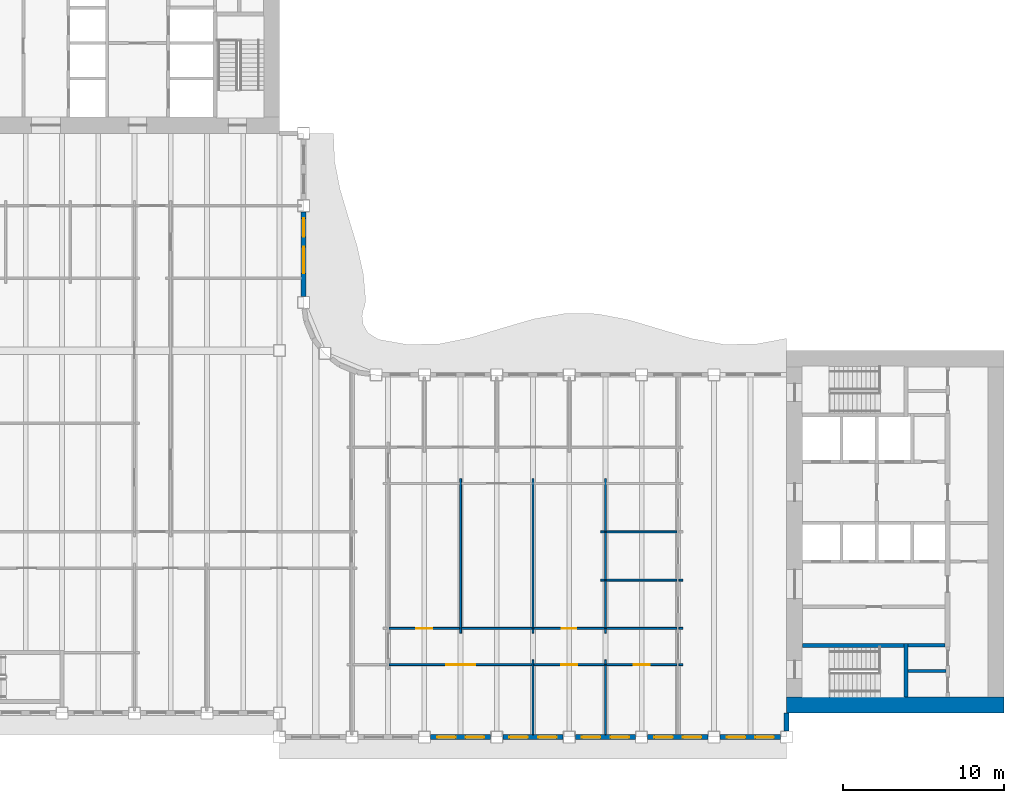
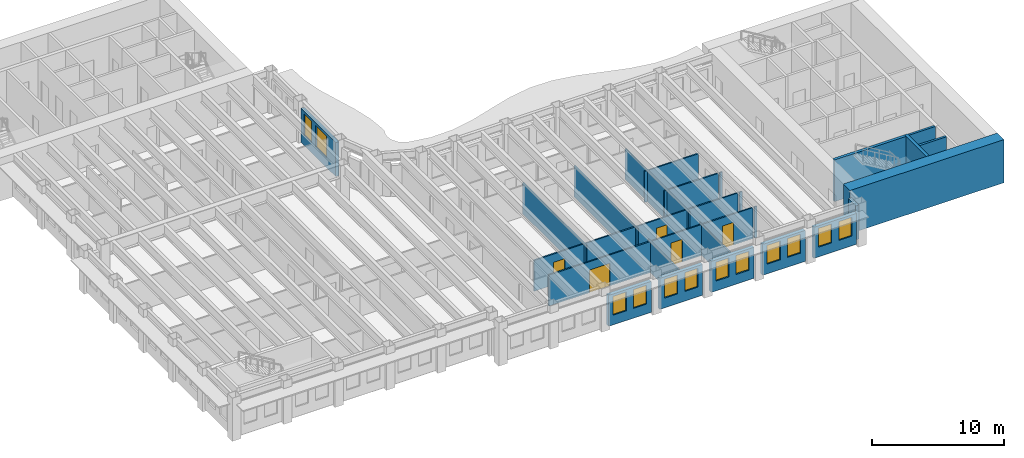
# One storey, part 5 of 16: 31 walls, 12 windows, 5 doors, 17 openings.
"""IFC4 building model written with IfcOpenShell, lengths in metres."""

from ifc_helpers import new_model, si_unit, direction, frame, frame_2d, origin, place, context, subcontext, project, spatial, rectangle, extrude, material, layer, layer_set, type_object, element, fill, save


model = new_model("IFC4")

# Units and contexts
model_context = context("Model", 3, precision=1e-05, world=origin(), true_north=direction((0.0, 1.0)))
body_context = subcontext(model_context, "Body", "Model", "MODEL_VIEW")
ifc_project = project(units=[si_unit("LENGTHUNIT", "METRE"), si_unit("AREAUNIT", "SQUARE_METRE"), si_unit("VOLUMEUNIT", "CUBIC_METRE"), si_unit("PLANEANGLEUNIT", "RADIAN"), si_unit("MASSUNIT", "GRAM", prefix="KILO")], contexts=[model_context])

# Site, building, storey
site_placement = place(None, origin())
site = spatial("IfcSite", under=ifc_project, at=site_placement, CompositionType="ELEMENT")
building_placement = place(site_placement, origin())
building = spatial("IfcBuilding", under=site, at=building_placement, Name="Sennacour Bend Tower", CompositionType="ELEMENT")
storey_placement = place(building_placement, frame((0.0, 0.0, 231.0)))
storey = spatial("IfcBuildingStorey", under=building, at=storey_placement, Name="L53", CompositionType="ELEMENT", Elevation=231.0)

# Walls
ifc_material_1 = material(Name="Concrete C60/75", Category="concrete")
ifc_layer_1 = layer(ifc_material_1, 1.0, Name="Concrete C60/75", Category="concrete")
ifc_layer_set_1 = layer_set([ifc_layer_1], Name="Concrete C60/75")
wall_type_1 = type_object("IfcWallType", Name="Core wall 1000 C60/75", PredefinedType="SHEAR", material=ifc_layer_set_1)
wall_1_placement = place(storey_placement, frame((67.5, 0.5, -0.14990234375), z_axis=(0.0, 0.0, 1.0), x_axis=(-1.0, 0.0, 0.0)))
element("IfcWall", 1, at=wall_1_placement, inside=storey, type_object=wall_type_1, Name="Core A wall L53 S", PredefinedType="SHEAR", context=body_context, shape_type="SweptSolid", body=[
    extrude(rectangle(XDim=13.5, YDim=1.0, at=frame_2d((6.75, 0.0))), origin(), (0.0, 0.0, 1.0), 4.0),
])
ifc_material_2 = material(Name="Plasterboard partition on steel studs", Category="steel")
ifc_layer_2 = layer(ifc_material_2, 0.1201171875, Name="Plasterboard partition on steel studs", Category="steel")
ifc_layer_set_2 = layer_set([ifc_layer_2], Name="Plasterboard partition on steel studs")
wall_type_2 = type_object("IfcWallType", Name="Partition 120", PredefinedType="PARTITIONING", material=ifc_layer_set_2)
wall_2_placement = place(storey_placement, frame((33.75, 4.949951171875, 0.0), z_axis=(0.0, 0.0, 1.0), x_axis=(0.0, 1.0, 0.0)))
element("IfcWall", 2, at=wall_2_placement, inside=storey, type_object=wall_type_2, Name="P-L53-W029a", PredefinedType="PARTITIONING", context=body_context, shape_type="SweptSolid", body=[
    extrude(rectangle(XDim=9.60009765625, YDim=0.1201171875, at=frame_2d((4.800048828125, 0.0))), origin(), (0.0, 0.0, 1.0), 2.8701171875),
])
wall_3_placement = place(storey_placement, frame((38.25, -1.35009765625, 0.0), z_axis=(0.0, 0.0, 1.0), x_axis=(0.0, 1.0, 0.0)))
element("IfcWall", 3, at=wall_3_placement, inside=storey, type_object=wall_type_2, Name="P-L53-W031a", PredefinedType="PARTITIONING", context=body_context, shape_type="SweptSolid", body=[
    extrude(rectangle(XDim=4.650146484375, YDim=0.1201171875, at=frame_2d((2.3251953125, 0.0))), origin(), (0.0, 0.0, 1.0), 2.8701171875),
])
wall_4_placement = place(storey_placement, frame((38.25, 4.949951171875, 0.0), z_axis=(0.0, 0.0, 1.0), x_axis=(0.0, 1.0, 0.0)))
element("IfcWall", 4, at=wall_4_placement, inside=storey, type_object=wall_type_2, Name="P-L53-W032a", PredefinedType="PARTITIONING", context=body_context, shape_type="SweptSolid", body=[
    extrude(rectangle(XDim=9.60009765625, YDim=0.1201171875, at=frame_2d((4.800048828125, 0.0))), origin(), (0.0, 0.0, 1.0), 2.8701171875),
])
wall_5_placement = place(storey_placement, frame((42.75, -1.35009765625, 0.0), z_axis=(0.0, 0.0, 1.0), x_axis=(0.0, 1.0, 0.0)))
element("IfcWall", 5, at=wall_5_placement, inside=storey, type_object=wall_type_2, Name="P-L53-W034a", PredefinedType="PARTITIONING", context=body_context, shape_type="SweptSolid", body=[
    extrude(rectangle(XDim=4.650146484375, YDim=0.1201171875, at=frame_2d((2.3251953125, 0.0))), origin(), (0.0, 0.0, 1.0), 2.8701171875),
])
wall_6_placement = place(storey_placement, frame((42.75, 4.949951171875, 0.0), z_axis=(0.0, 0.0, 1.0), x_axis=(0.0, 1.0, 0.0)))
element("IfcWall", 6, at=wall_6_placement, inside=storey, type_object=wall_type_2, Name="P-L53-W035a", PredefinedType="PARTITIONING", context=body_context, shape_type="SweptSolid", body=[
    extrude(rectangle(XDim=9.60009765625, YDim=0.1201171875, at=frame_2d((4.800048828125, 0.0))), origin(), (0.0, 0.0, 1.0), 2.8701171875),
])

# Wall, opening, door
wall_7_placement = place(storey_placement, frame((29.31005859375, 3.0, 0.0), z_axis=(0.0, 0.0, 1.0), x_axis=(1.0, 0.0, 0.0)))
wall_7 = element("IfcWall", 7, at=wall_7_placement, inside=storey, type_object=wall_type_2, Name="P-L53-W053ac", PredefinedType="PARTITIONING", context=body_context, shape_type="SweptSolid", body=[
    extrude(rectangle(XDim=8.8798828125, YDim=0.1201171875, at=frame_2d((4.43994140625, 0.0))), origin(), (0.0, 0.0, 1.0), 2.8701171875),
])
opening_1_placement = place(wall_7_placement, frame((3.539794921875, 0.0, 0.0)))
opening_1 = element("IfcOpeningElement", 8, at=opening_1_placement, cuts=wall_7, Name="Opening OD3", PredefinedType="OPENING", context=body_context, shape_type="SweptSolid", body=[
    extrude(rectangle(XDim=1.800048828125, YDim=2.10009765625, at=frame_2d((0.89990234375, 1.050048828125))), frame((0.0, 0.070068359375, 0.0), z_axis=(0.0, -1.0, 0.0), x_axis=(1.0, 0.0, 0.0)), (0.0, 0.0, 1.0), 0.14013671875),
])
ifc_material_3 = material(Name="Timber", Category="wood")
door_type_1 = type_object("IfcDoorType", Name="DR-OFFICE-1800", OperationType="NOTDEFINED", PredefinedType="DOOR", material=ifc_material_3)
door_1_placement = place(opening_1_placement, origin())
door_1 = element("IfcDoor", 9, at=door_1_placement, inside=storey, type_object=door_type_1, Name="Door", OperationType="DOUBLE_DOOR_SINGLE_SWING", OverallHeight=2.10009765625, OverallWidth=1.800048828125, PredefinedType="DOOR", context=body_context, shape_type="SweptSolid", body=[
    extrude(rectangle(XDim=1.800048828125, YDim=2.10009765625, at=frame_2d((0.89990234375, 1.050048828125))), frame((0.0, 0.02490234375, 0.0), z_axis=(0.0, -1.0, 0.0), x_axis=(1.0, 0.0, 0.0)), (0.0, 0.0, 1.0), 0.050048828125),
])
fill(opening_1, door_1)

wall_8_placement = place(storey_placement, frame((38.31005859375, 3.0, 0.0), z_axis=(0.0, 0.0, 1.0), x_axis=(1.0, 0.0, 0.0)))
wall_8 = element("IfcWall", 10, at=wall_8_placement, inside=storey, type_object=wall_type_2, Name="P-L53-W053ad", PredefinedType="PARTITIONING", context=body_context, shape_type="SweptSolid", body=[
    extrude(rectangle(XDim=4.3798828125, YDim=0.1201171875, at=frame_2d((2.18994140625, 0.0))), origin(), (0.0, 0.0, 1.0), 2.8701171875),
])
opening_2_placement = place(wall_8_placement, frame((1.68994140625, 0.0, 0.0)))
opening_2 = element("IfcOpeningElement", 11, at=opening_2_placement, cuts=wall_8, Name="Opening OD2", PredefinedType="OPENING", context=body_context, shape_type="SweptSolid", body=[
    extrude(rectangle(XDim=1.0, YDim=2.10009765625, at=frame_2d((0.5, 1.050048828125))), frame((0.0, 0.070068359375, 0.0), z_axis=(0.0, -1.0, 0.0), x_axis=(1.0, 0.0, 0.0)), (0.0, 0.0, 1.0), 0.14013671875),
])
door_type_2 = type_object("IfcDoorType", Name="DR-OFFICE-1000", OperationType="NOTDEFINED", PredefinedType="DOOR", material=ifc_material_3)
door_2_placement = place(opening_2_placement, origin())
door_2 = element("IfcDoor", 12, at=door_2_placement, inside=storey, type_object=door_type_2, Name="Door", OperationType="SINGLE_SWING_LEFT", OverallHeight=2.10009765625, OverallWidth=1.0, PredefinedType="DOOR", context=body_context, shape_type="SweptSolid", body=[
    extrude(rectangle(XDim=1.0, YDim=2.10009765625, at=frame_2d((0.5, 1.050048828125))), frame((0.0, 0.02490234375, 0.0), z_axis=(0.0, -1.0, 0.0), x_axis=(1.0, 0.0, 0.0)), (0.0, 0.0, 1.0), 0.050048828125),
])
fill(opening_2, door_2)

wall_9_placement = place(storey_placement, frame((42.81005859375, 3.0, 0.0), z_axis=(0.0, 0.0, 1.0), x_axis=(1.0, 0.0, 0.0)))
wall_9 = element("IfcWall", 13, at=wall_9_placement, inside=storey, type_object=wall_type_2, Name="P-L53-W053ae", PredefinedType="PARTITIONING", context=body_context, shape_type="SweptSolid", body=[
    extrude(rectangle(XDim=4.3798828125, YDim=0.1201171875, at=frame_2d((2.18994140625, 0.0))), origin(), (0.0, 0.0, 1.0), 2.8701171875),
])
opening_3_placement = place(wall_9_placement, frame((1.68994140625, 0.0, 0.0)))
opening_3 = element("IfcOpeningElement", 14, at=opening_3_placement, cuts=wall_9, Name="Opening OD2", PredefinedType="OPENING", context=body_context, shape_type="SweptSolid", body=[
    extrude(rectangle(XDim=1.0, YDim=2.10009765625, at=frame_2d((0.5, 1.050048828125))), frame((0.0, 0.070068359375, 0.0), z_axis=(0.0, -1.0, 0.0), x_axis=(1.0, 0.0, 0.0)), (0.0, 0.0, 1.0), 0.14013671875),
])
door_3_placement = place(opening_3_placement, origin())
door_3 = element("IfcDoor", 15, at=door_3_placement, inside=storey, type_object=door_type_2, Name="Door", OperationType="SINGLE_SWING_LEFT", OverallHeight=2.10009765625, OverallWidth=1.0, PredefinedType="DOOR", context=body_context, shape_type="SweptSolid", body=[
    extrude(rectangle(XDim=1.0, YDim=2.10009765625, at=frame_2d((0.5, 1.050048828125))), frame((0.0, 0.02490234375, 0.0), z_axis=(0.0, -1.0, 0.0), x_axis=(1.0, 0.0, 0.0)), (0.0, 0.0, 1.0), 0.050048828125),
])
fill(opening_3, door_3)

# Wall
wall_10_placement = place(storey_placement, frame((47.31005859375, 3.0, 0.0), z_axis=(0.0, 0.0, 1.0), x_axis=(1.0, 0.0, 0.0)))
element("IfcWall", 16, at=wall_10_placement, inside=storey, type_object=wall_type_2, Name="P-L53-W053af", PredefinedType="PARTITIONING", context=body_context, shape_type="SweptSolid", body=[
    extrude(rectangle(XDim=0.239990234375, YDim=0.1201171875, at=frame_2d((0.1201171875, 0.0))), origin(), (0.0, 0.0, 1.0), 2.8701171875),
])

# Wall, opening, door
wall_11_placement = place(storey_placement, frame((29.31005859375, 5.25, 0.0), z_axis=(0.0, 0.0, 1.0), x_axis=(1.0, 0.0, 0.0)))
wall_11 = element("IfcWall", 17, at=wall_11_placement, inside=storey, type_object=wall_type_2, Name="P-L53-W059ab", PredefinedType="PARTITIONING", context=body_context, shape_type="SweptSolid", body=[
    extrude(rectangle(XDim=4.3798828125, YDim=0.1201171875, at=frame_2d((2.18994140625, 0.0))), origin(), (0.0, 0.0, 1.0), 2.8701171875),
])
opening_4_placement = place(wall_11_placement, frame((1.68994140625, 0.0, 0.0)))
opening_4 = element("IfcOpeningElement", 18, at=opening_4_placement, cuts=wall_11, Name="Opening OD2", PredefinedType="OPENING", context=body_context, shape_type="SweptSolid", body=[
    extrude(rectangle(XDim=1.0, YDim=2.10009765625, at=frame_2d((0.5, 1.050048828125))), frame((0.0, 0.070068359375, 0.0), z_axis=(0.0, -1.0, 0.0), x_axis=(1.0, 0.0, 0.0)), (0.0, 0.0, 1.0), 0.14013671875),
])
door_4_placement = place(opening_4_placement, origin())
door_4 = element("IfcDoor", 19, at=door_4_placement, inside=storey, type_object=door_type_2, Name="Door", OperationType="SINGLE_SWING_LEFT", OverallHeight=2.10009765625, OverallWidth=1.0, PredefinedType="DOOR", context=body_context, shape_type="SweptSolid", body=[
    extrude(rectangle(XDim=1.0, YDim=2.10009765625, at=frame_2d((0.5, 1.050048828125))), frame((0.0, 0.02490234375, 0.0), z_axis=(0.0, -1.0, 0.0), x_axis=(1.0, 0.0, 0.0)), (0.0, 0.0, 1.0), 0.050048828125),
])
fill(opening_4, door_4)

# Walls
for number, where, z_axis, x_axis, name in (
    (20, (33.81005859375, 5.25, 0.0), (0.0, 0.0, 1.0), (1.0, 0.0, 0.0), "P-L53-W059ac"),
    (21, (42.81005859375, 5.25, 0.0), (0.0, 0.0, 1.0), (1.0, 0.0, 0.0), "P-L53-W059ae"),
):
    element("IfcWall", number, at=place(storey_placement, frame(where, z_axis=z_axis, x_axis=x_axis)), inside=storey, type_object=wall_type_2, Name=name, PredefinedType="PARTITIONING", context=body_context, shape_type="SweptSolid", body=[
        extrude(rectangle(XDim=4.3798828125, YDim=0.1201171875, at=frame_2d((2.18994140625, 0.0))), origin(), (0.0, 0.0, 1.0), 2.8701171875),
    ])
for number, where, z_axis, x_axis, name in (
    (22, (47.31005859375, 5.25, 0.0), (0.0, 0.0, 1.0), (1.0, 0.0, 0.0), "P-L53-W059af"),
    (23, (42.449951171875, 8.25, 0.0), (0.0, 0.0, 1.0), (1.0, 0.0, 0.0), "P-L53-W061aa"),
):
    element("IfcWall", number, at=place(storey_placement, frame(where, z_axis=z_axis, x_axis=x_axis)), inside=storey, type_object=wall_type_2, Name=name, PredefinedType="PARTITIONING", context=body_context, shape_type="SweptSolid", body=[
        extrude(rectangle(XDim=0.239990234375, YDim=0.1201171875, at=frame_2d((0.1201171875, 0.0))), origin(), (0.0, 0.0, 1.0), 2.8701171875),
    ])
wall_12_placement = place(storey_placement, frame((42.81005859375, 8.25, 0.0), z_axis=(0.0, 0.0, 1.0), x_axis=(1.0, 0.0, 0.0)))
element("IfcWall", 24, at=wall_12_placement, inside=storey, type_object=wall_type_2, Name="P-L53-W061ab", PredefinedType="PARTITIONING", context=body_context, shape_type="SweptSolid", body=[
    extrude(rectangle(XDim=4.3798828125, YDim=0.1201171875, at=frame_2d((2.18994140625, 0.0))), origin(), (0.0, 0.0, 1.0), 2.8701171875),
])
for number, where, z_axis, x_axis, name in (
    (25, (47.31005859375, 8.25, 0.0), (0.0, 0.0, 1.0), (1.0, 0.0, 0.0), "P-L53-W061ac"),
    (26, (42.449951171875, 11.25, 0.0), (0.0, 0.0, 1.0), (1.0, 0.0, 0.0), "P-L53-W066aa"),
):
    element("IfcWall", number, at=place(storey_placement, frame(where, z_axis=z_axis, x_axis=x_axis)), inside=storey, type_object=wall_type_2, Name=name, PredefinedType="PARTITIONING", context=body_context, shape_type="SweptSolid", body=[
        extrude(rectangle(XDim=0.239990234375, YDim=0.1201171875, at=frame_2d((0.1201171875, 0.0))), origin(), (0.0, 0.0, 1.0), 2.8701171875),
    ])
wall_13_placement = place(storey_placement, frame((42.81005859375, 11.25, 0.0), z_axis=(0.0, 0.0, 1.0), x_axis=(1.0, 0.0, 0.0)))
element("IfcWall", 27, at=wall_13_placement, inside=storey, type_object=wall_type_2, Name="P-L53-W066ab", PredefinedType="PARTITIONING", context=body_context, shape_type="SweptSolid", body=[
    extrude(rectangle(XDim=4.3798828125, YDim=0.1201171875, at=frame_2d((2.18994140625, 0.0))), origin(), (0.0, 0.0, 1.0), 2.8701171875),
])

# Wall, opening, door
ifc_layer_3 = layer(ifc_material_2, 0.1201171875, Name="Plasterboard partition on steel studs", Category="steel")
ifc_layer_set_3 = layer_set([ifc_layer_3], Name="Plasterboard partition on steel studs")
wall_type_3 = type_object("IfcWallType", Name="Partition 120 EI 60", PredefinedType="PARTITIONING", material=ifc_layer_set_3)
wall_14_placement = place(storey_placement, frame((38.31005859375, 5.25, 0.0), z_axis=(0.0, 0.0, 1.0), x_axis=(1.0, 0.0, 0.0)))
wall_14 = element("IfcWall", 28, at=wall_14_placement, inside=storey, type_object=wall_type_3, Name="P-L53-W059ad", PredefinedType="PARTITIONING", context=body_context, shape_type="SweptSolid", body=[
    extrude(rectangle(XDim=4.3798828125, YDim=0.1201171875, at=frame_2d((2.18994140625, 0.0))), origin(), (0.0, 0.0, 1.0), 2.8701171875),
])
opening_5_placement = place(wall_14_placement, frame((1.739990234375, 0.0, 0.0)))
opening_5 = element("IfcOpeningElement", 29, at=opening_5_placement, cuts=wall_14, Name="Opening SV", PredefinedType="OPENING", context=body_context, shape_type="SweptSolid", body=[
    extrude(rectangle(XDim=0.89990234375, YDim=2.10009765625, at=frame_2d((0.449951171875, 1.050048828125))), frame((0.0, 0.070068359375, 0.0), z_axis=(0.0, -1.0, 0.0), x_axis=(1.0, 0.0, 0.0)), (0.0, 0.0, 1.0), 0.14013671875),
])
ifc_material_4 = material(Name="Painted steel", Category="steel")
door_type_3 = type_object("IfcDoorType", Name="DR-SERVICE-900", OperationType="NOTDEFINED", PredefinedType="DOOR", material=ifc_material_4)
door_5_placement = place(opening_5_placement, origin())
door_5 = element("IfcDoor", 30, at=door_5_placement, inside=storey, type_object=door_type_3, Name="Door", OperationType="SINGLE_SWING_LEFT", OverallHeight=2.10009765625, OverallWidth=0.89990234375, PredefinedType="DOOR", context=body_context, shape_type="SweptSolid", body=[
    extrude(rectangle(XDim=0.89990234375, YDim=2.10009765625, at=frame_2d((0.449951171875, 1.050048828125))), frame((0.0, 0.02490234375, 0.0), z_axis=(0.0, -1.0, 0.0), x_axis=(1.0, 0.0, 0.0)), (0.0, 0.0, 1.0), 0.050048828125),
])
fill(opening_5, door_5)

# Walls
ifc_material_5 = material(Name="Fire-rated plasterboard partition on steel studs", Category="steel")
ifc_layer_4 = layer(ifc_material_5, 0.199951171875, Name="Fire-rated plasterboard partition on steel studs", Category="steel")
ifc_layer_set_4 = layer_set([ifc_layer_4], Name="Fire-rated plasterboard partition on steel studs")
wall_type_4 = type_object("IfcWallType", Name="Rated partition 200", PredefinedType="PARTITIONING", material=ifc_layer_set_4)
wall_15_placement = place(storey_placement, frame((61.52490234375, 2.60009765625, 0.0), z_axis=(0.0, 0.0, 1.0), x_axis=(1.0, 0.0, 0.0)))
element("IfcWall", 31, at=wall_15_placement, inside=storey, type_object=wall_type_4, Name="P-L53-W052", PredefinedType="PARTITIONING", context=body_context, shape_type="SweptSolid", body=[
    extrude(rectangle(XDim=2.375, YDim=0.199951171875, at=frame_2d((1.1875, 0.0))), origin(), (0.0, 0.0, 1.0), 3.85009765625),
])
wall_16_placement = place(storey_placement, frame((61.52490234375, 4.199951171875, 0.0), z_axis=(0.0, 0.0, 1.0), x_axis=(1.0, 0.0, 0.0)))
element("IfcWall", 32, at=wall_16_placement, inside=storey, type_object=wall_type_4, Name="P-L53-W058", PredefinedType="PARTITIONING", context=body_context, shape_type="SweptSolid", body=[
    extrude(rectangle(XDim=2.3251953125, YDim=0.199951171875, at=frame_2d((1.16259765625, 0.0))), origin(), (0.0, 0.0, 1.0), 3.85009765625),
])

# Wall, openings, windows
ifc_material_6 = material(Name="Warm limestone cladding", Category="masonry")
ifc_layer_5 = layer(ifc_material_6, 0.050048828125, Name="Warm limestone cladding", Category="masonry")
ifc_material_7 = material(Name="Precast concrete C40/50", Category="concrete")
ifc_layer_6 = layer(ifc_material_7, 0.25, Name="Precast concrete C40/50", Category="concrete")
ifc_layer_set_5 = layer_set([ifc_layer_5, ifc_layer_6], Name="Precast concrete C40/50 with limestone cladding")
wall_type_5 = type_object("IfcWallType", Name="STONE-CLAD PRECAST SPANDREL 300", PredefinedType="STANDARD", material=ifc_layer_set_5)
wall_17_placement = place(storey_placement, frame((31.875, -1.5, 0.0), z_axis=(0.0, 0.0, 1.0), x_axis=(1.0, 0.0, 0.0)))
wall_17 = element("IfcWall", 33, at=wall_17_placement, inside=storey, type_object=wall_type_5, Name="Stone spandrel and pier wall L53 00.02", PredefinedType="STANDARD", context=body_context, shape_type="SweptSolid", body=[
    extrude(rectangle(XDim=3.75, YDim=0.300048828125, at=frame_2d((1.875, 0.0))), origin(), (0.0, 0.0, 1.0), 2.8701171875),
])
opening_6_placement = place(wall_17_placement, frame((0.41259765625, 0.0, 0.89990234375)))
opening_6 = element("IfcOpeningElement", 34, at=opening_6_placement, cuts=wall_17, Name="Opening W23", PredefinedType="OPENING", context=body_context, shape_type="SweptSolid", body=[
    extrude(rectangle(XDim=1.14990234375, YDim=1.75, at=frame_2d((0.574951171875, 0.875))), frame((0.0, 0.16015625, 0.0), z_axis=(0.0, -1.0, 0.0), x_axis=(1.0, 0.0, 0.0)), (0.0, 0.0, 1.0), 0.320068359375),
])
opening_7_placement = place(wall_17_placement, frame((2.1875, 0.0, 0.89990234375)))
opening_7 = element("IfcOpeningElement", 35, at=opening_7_placement, cuts=wall_17, Name="Opening W23", PredefinedType="OPENING", context=body_context, shape_type="SweptSolid", body=[
    extrude(rectangle(XDim=1.14990234375, YDim=1.75, at=frame_2d((0.574951171875, 0.875))), frame((0.0, 0.16015625, 0.0), z_axis=(0.0, -1.0, 0.0), x_axis=(1.0, 0.0, 0.0)), (0.0, 0.0, 1.0), 0.320068359375),
])
ifc_material_8 = material(Name="Clear low-emissivity glass", Category="glass")
window_type_1 = type_object("IfcWindowType", Name="WIN-RIBBON-1150x1750", PartitioningType="SINGLE_PANEL", PredefinedType="WINDOW", material=ifc_material_8)
window_1_placement = place(opening_6_placement, origin())
window_1 = element("IfcWindow", 36, at=window_1_placement, inside=storey, type_object=window_type_1, Name="Ribbon window L53 00.02.0", OverallHeight=1.75, OverallWidth=1.14990234375, PartitioningType="SINGLE_PANEL", PredefinedType="WINDOW", context=body_context, shape_type="SweptSolid", body=[
    extrude(rectangle(XDim=1.14990234375, YDim=1.75, at=frame_2d((0.574951171875, 0.875))), frame((0.0, 0.030029296875, 0.0), z_axis=(0.0, -1.0, 0.0), x_axis=(1.0, 0.0, 0.0)), (0.0, 0.0, 1.0), 0.06005859375),
])
fill(opening_6, window_1)
window_2_placement = place(opening_7_placement, origin())
window_2 = element("IfcWindow", 37, at=window_2_placement, inside=storey, type_object=window_type_1, Name="Ribbon window L53 00.02.1", OverallHeight=1.75, OverallWidth=1.14990234375, PartitioningType="SINGLE_PANEL", PredefinedType="WINDOW", context=body_context, shape_type="SweptSolid", body=[
    extrude(rectangle(XDim=1.14990234375, YDim=1.75, at=frame_2d((0.574951171875, 0.875))), frame((0.0, 0.030029296875, 0.0), z_axis=(0.0, -1.0, 0.0), x_axis=(1.0, 0.0, 0.0)), (0.0, 0.0, 1.0), 0.06005859375),
])
fill(opening_7, window_2)

wall_18_placement = place(storey_placement, frame((36.375, -1.5, 0.0), z_axis=(0.0, 0.0, 1.0), x_axis=(1.0, 0.0, 0.0)))
wall_18 = element("IfcWall", 38, at=wall_18_placement, inside=storey, type_object=wall_type_5, Name="Stone spandrel and pier wall L53 00.03", PredefinedType="STANDARD", context=body_context, shape_type="SweptSolid", body=[
    extrude(rectangle(XDim=3.75, YDim=0.300048828125, at=frame_2d((1.875, 0.0))), origin(), (0.0, 0.0, 1.0), 2.8701171875),
])
opening_8_placement = place(wall_18_placement, frame((0.41259765625, 0.0, 0.89990234375)))
opening_8 = element("IfcOpeningElement", 39, at=opening_8_placement, cuts=wall_18, Name="Opening W23", PredefinedType="OPENING", context=body_context, shape_type="SweptSolid", body=[
    extrude(rectangle(XDim=1.14990234375, YDim=1.75, at=frame_2d((0.574951171875, 0.875))), frame((0.0, 0.16015625, 0.0), z_axis=(0.0, -1.0, 0.0), x_axis=(1.0, 0.0, 0.0)), (0.0, 0.0, 1.0), 0.320068359375),
])
opening_9_placement = place(wall_18_placement, frame((2.1875, 0.0, 0.89990234375)))
opening_9 = element("IfcOpeningElement", 40, at=opening_9_placement, cuts=wall_18, Name="Opening W23", PredefinedType="OPENING", context=body_context, shape_type="SweptSolid", body=[
    extrude(rectangle(XDim=1.14990234375, YDim=1.75, at=frame_2d((0.574951171875, 0.875))), frame((0.0, 0.16015625, 0.0), z_axis=(0.0, -1.0, 0.0), x_axis=(1.0, 0.0, 0.0)), (0.0, 0.0, 1.0), 0.320068359375),
])
window_3_placement = place(opening_8_placement, origin())
window_3 = element("IfcWindow", 41, at=window_3_placement, inside=storey, type_object=window_type_1, Name="Ribbon window L53 00.03.0", OverallHeight=1.75, OverallWidth=1.14990234375, PartitioningType="SINGLE_PANEL", PredefinedType="WINDOW", context=body_context, shape_type="SweptSolid", body=[
    extrude(rectangle(XDim=1.14990234375, YDim=1.75, at=frame_2d((0.574951171875, 0.875))), frame((0.0, 0.030029296875, 0.0), z_axis=(0.0, -1.0, 0.0), x_axis=(1.0, 0.0, 0.0)), (0.0, 0.0, 1.0), 0.06005859375),
])
fill(opening_8, window_3)
window_4_placement = place(opening_9_placement, origin())
window_4 = element("IfcWindow", 42, at=window_4_placement, inside=storey, type_object=window_type_1, Name="Ribbon window L53 00.03.1", OverallHeight=1.75, OverallWidth=1.14990234375, PartitioningType="SINGLE_PANEL", PredefinedType="WINDOW", context=body_context, shape_type="SweptSolid", body=[
    extrude(rectangle(XDim=1.14990234375, YDim=1.75, at=frame_2d((0.574951171875, 0.875))), frame((0.0, 0.030029296875, 0.0), z_axis=(0.0, -1.0, 0.0), x_axis=(1.0, 0.0, 0.0)), (0.0, 0.0, 1.0), 0.06005859375),
])
fill(opening_9, window_4)

wall_19_placement = place(storey_placement, frame((40.875, -1.5, 0.0), z_axis=(0.0, 0.0, 1.0), x_axis=(1.0, 0.0, 0.0)))
wall_19 = element("IfcWall", 43, at=wall_19_placement, inside=storey, type_object=wall_type_5, Name="Stone spandrel and pier wall L53 00.04", PredefinedType="STANDARD", context=body_context, shape_type="SweptSolid", body=[
    extrude(rectangle(XDim=3.75, YDim=0.300048828125, at=frame_2d((1.875, 0.0))), origin(), (0.0, 0.0, 1.0), 2.8701171875),
])
opening_10_placement = place(wall_19_placement, frame((0.41259765625, 0.0, 0.89990234375)))
opening_10 = element("IfcOpeningElement", 44, at=opening_10_placement, cuts=wall_19, Name="Opening W23", PredefinedType="OPENING", context=body_context, shape_type="SweptSolid", body=[
    extrude(rectangle(XDim=1.14990234375, YDim=1.75, at=frame_2d((0.574951171875, 0.875))), frame((0.0, 0.16015625, 0.0), z_axis=(0.0, -1.0, 0.0), x_axis=(1.0, 0.0, 0.0)), (0.0, 0.0, 1.0), 0.320068359375),
])
opening_11_placement = place(wall_19_placement, frame((2.1875, 0.0, 0.89990234375)))
opening_11 = element("IfcOpeningElement", 45, at=opening_11_placement, cuts=wall_19, Name="Opening W23", PredefinedType="OPENING", context=body_context, shape_type="SweptSolid", body=[
    extrude(rectangle(XDim=1.14990234375, YDim=1.75, at=frame_2d((0.574951171875, 0.875))), frame((0.0, 0.16015625, 0.0), z_axis=(0.0, -1.0, 0.0), x_axis=(1.0, 0.0, 0.0)), (0.0, 0.0, 1.0), 0.320068359375),
])
window_5_placement = place(opening_10_placement, origin())
window_5 = element("IfcWindow", 46, at=window_5_placement, inside=storey, type_object=window_type_1, Name="Ribbon window L53 00.04.0", OverallHeight=1.75, OverallWidth=1.14990234375, PartitioningType="SINGLE_PANEL", PredefinedType="WINDOW", context=body_context, shape_type="SweptSolid", body=[
    extrude(rectangle(XDim=1.14990234375, YDim=1.75, at=frame_2d((0.574951171875, 0.875))), frame((0.0, 0.030029296875, 0.0), z_axis=(0.0, -1.0, 0.0), x_axis=(1.0, 0.0, 0.0)), (0.0, 0.0, 1.0), 0.06005859375),
])
fill(opening_10, window_5)
window_6_placement = place(opening_11_placement, origin())
window_6 = element("IfcWindow", 47, at=window_6_placement, inside=storey, type_object=window_type_1, Name="Ribbon window L53 00.04.1", OverallHeight=1.75, OverallWidth=1.14990234375, PartitioningType="SINGLE_PANEL", PredefinedType="WINDOW", context=body_context, shape_type="SweptSolid", body=[
    extrude(rectangle(XDim=1.14990234375, YDim=1.75, at=frame_2d((0.574951171875, 0.875))), frame((0.0, 0.030029296875, 0.0), z_axis=(0.0, -1.0, 0.0), x_axis=(1.0, 0.0, 0.0)), (0.0, 0.0, 1.0), 0.06005859375),
])
fill(opening_11, window_6)

wall_20_placement = place(storey_placement, frame((45.375, -1.5, 0.0), z_axis=(0.0, 0.0, 1.0), x_axis=(1.0, 0.0, 0.0)))
wall_20 = element("IfcWall", 48, at=wall_20_placement, inside=storey, type_object=wall_type_5, Name="Stone spandrel and pier wall L53 00.05", PredefinedType="STANDARD", context=body_context, shape_type="SweptSolid", body=[
    extrude(rectangle(XDim=3.75, YDim=0.300048828125, at=frame_2d((1.875, 0.0))), origin(), (0.0, 0.0, 1.0), 2.8701171875),
])
opening_12_placement = place(wall_20_placement, frame((0.41259765625, 0.0, 0.89990234375)))
opening_12 = element("IfcOpeningElement", 49, at=opening_12_placement, cuts=wall_20, Name="Opening W23", PredefinedType="OPENING", context=body_context, shape_type="SweptSolid", body=[
    extrude(rectangle(XDim=1.14990234375, YDim=1.75, at=frame_2d((0.574951171875, 0.875))), frame((0.0, 0.16015625, 0.0), z_axis=(0.0, -1.0, 0.0), x_axis=(1.0, 0.0, 0.0)), (0.0, 0.0, 1.0), 0.320068359375),
])
opening_13_placement = place(wall_20_placement, frame((2.1875, 0.0, 0.89990234375)))
opening_13 = element("IfcOpeningElement", 50, at=opening_13_placement, cuts=wall_20, Name="Opening W23", PredefinedType="OPENING", context=body_context, shape_type="SweptSolid", body=[
    extrude(rectangle(XDim=1.14990234375, YDim=1.75, at=frame_2d((0.574951171875, 0.875))), frame((0.0, 0.16015625, 0.0), z_axis=(0.0, -1.0, 0.0), x_axis=(1.0, 0.0, 0.0)), (0.0, 0.0, 1.0), 0.320068359375),
])
window_7_placement = place(opening_12_placement, origin())
window_7 = element("IfcWindow", 51, at=window_7_placement, inside=storey, type_object=window_type_1, Name="Ribbon window L53 00.05.0", OverallHeight=1.75, OverallWidth=1.14990234375, PartitioningType="SINGLE_PANEL", PredefinedType="WINDOW", context=body_context, shape_type="SweptSolid", body=[
    extrude(rectangle(XDim=1.14990234375, YDim=1.75, at=frame_2d((0.574951171875, 0.875))), frame((0.0, 0.030029296875, 0.0), z_axis=(0.0, -1.0, 0.0), x_axis=(1.0, 0.0, 0.0)), (0.0, 0.0, 1.0), 0.06005859375),
])
fill(opening_12, window_7)
window_8_placement = place(opening_13_placement, origin())
window_8 = element("IfcWindow", 52, at=window_8_placement, inside=storey, type_object=window_type_1, Name="Ribbon window L53 00.05.1", OverallHeight=1.75, OverallWidth=1.14990234375, PartitioningType="SINGLE_PANEL", PredefinedType="WINDOW", context=body_context, shape_type="SweptSolid", body=[
    extrude(rectangle(XDim=1.14990234375, YDim=1.75, at=frame_2d((0.574951171875, 0.875))), frame((0.0, 0.030029296875, 0.0), z_axis=(0.0, -1.0, 0.0), x_axis=(1.0, 0.0, 0.0)), (0.0, 0.0, 1.0), 0.06005859375),
])
fill(opening_13, window_8)

wall_21_placement = place(storey_placement, frame((49.875, -1.5, 0.0), z_axis=(0.0, 0.0, 1.0), x_axis=(1.0, 0.0, 0.0)))
wall_21 = element("IfcWall", 53, at=wall_21_placement, inside=storey, type_object=wall_type_5, Name="Stone spandrel and pier wall L53 00.06", PredefinedType="STANDARD", context=body_context, shape_type="SweptSolid", body=[
    extrude(rectangle(XDim=3.75, YDim=0.300048828125, at=frame_2d((1.875, 0.0))), origin(), (0.0, 0.0, 1.0), 2.8701171875),
])
opening_14_placement = place(wall_21_placement, frame((0.41259765625, 0.0, 0.89990234375)))
opening_14 = element("IfcOpeningElement", 54, at=opening_14_placement, cuts=wall_21, Name="Opening W23", PredefinedType="OPENING", context=body_context, shape_type="SweptSolid", body=[
    extrude(rectangle(XDim=1.14990234375, YDim=1.75, at=frame_2d((0.574951171875, 0.875))), frame((0.0, 0.16015625, 0.0), z_axis=(0.0, -1.0, 0.0), x_axis=(1.0, 0.0, 0.0)), (0.0, 0.0, 1.0), 0.320068359375),
])
opening_15_placement = place(wall_21_placement, frame((2.1875, 0.0, 0.89990234375)))
opening_15 = element("IfcOpeningElement", 55, at=opening_15_placement, cuts=wall_21, Name="Opening W23", PredefinedType="OPENING", context=body_context, shape_type="SweptSolid", body=[
    extrude(rectangle(XDim=1.14990234375, YDim=1.75, at=frame_2d((0.574951171875, 0.875))), frame((0.0, 0.16015625, 0.0), z_axis=(0.0, -1.0, 0.0), x_axis=(1.0, 0.0, 0.0)), (0.0, 0.0, 1.0), 0.320068359375),
])
window_9_placement = place(opening_14_placement, origin())
window_9 = element("IfcWindow", 56, at=window_9_placement, inside=storey, type_object=window_type_1, Name="Ribbon window L53 00.06.0", OverallHeight=1.75, OverallWidth=1.14990234375, PartitioningType="SINGLE_PANEL", PredefinedType="WINDOW", context=body_context, shape_type="SweptSolid", body=[
    extrude(rectangle(XDim=1.14990234375, YDim=1.75, at=frame_2d((0.574951171875, 0.875))), frame((0.0, 0.030029296875, 0.0), z_axis=(0.0, -1.0, 0.0), x_axis=(1.0, 0.0, 0.0)), (0.0, 0.0, 1.0), 0.06005859375),
])
fill(opening_14, window_9)
window_10_placement = place(opening_15_placement, origin())
window_10 = element("IfcWindow", 57, at=window_10_placement, inside=storey, type_object=window_type_1, Name="Ribbon window L53 00.06.1", OverallHeight=1.75, OverallWidth=1.14990234375, PartitioningType="SINGLE_PANEL", PredefinedType="WINDOW", context=body_context, shape_type="SweptSolid", body=[
    extrude(rectangle(XDim=1.14990234375, YDim=1.75, at=frame_2d((0.574951171875, 0.875))), frame((0.0, 0.030029296875, 0.0), z_axis=(0.0, -1.0, 0.0), x_axis=(1.0, 0.0, 0.0)), (0.0, 0.0, 1.0), 0.06005859375),
])
fill(opening_15, window_10)

# Wall
wall_22_placement = place(storey_placement, frame((54.0, -1.125, 0.0), z_axis=(0.0, 0.0, 1.0), x_axis=(0.0, 1.0, 0.0)))
element("IfcWall", 58, at=wall_22_placement, inside=storey, type_object=wall_type_5, Name="Stone spandrel and pier wall L53 01.00", PredefinedType="STANDARD", context=body_context, shape_type="SweptSolid", body=[
    extrude(rectangle(XDim=1.125, YDim=0.300048828125, at=frame_2d((0.5625, 0.0))), origin(), (0.0, 0.0, 1.0), 3.156982421875),
])

# Wall, openings, windows
wall_23_placement = place(storey_placement, frame((24.0, 25.875, 0.0), z_axis=(0.0, 0.0, 1.0), x_axis=(0.0, 1.0, 0.0)))
wall_23 = element("IfcWall", 59, at=wall_23_placement, inside=storey, type_object=wall_type_5, Name="Stone spandrel and pier wall L53 13.00", PredefinedType="STANDARD", context=body_context, shape_type="SweptSolid", body=[
    extrude(rectangle(XDim=5.25, YDim=0.300048828125, at=frame_2d((2.625, 0.0))), origin(), (0.0, 0.0, 1.0), 3.156982421875),
])
opening_16_placement = place(wall_23_placement, frame((1.425048828125, 0.0, 0.89990234375)))
opening_16 = element("IfcOpeningElement", 60, at=opening_16_placement, cuts=wall_23, Name="Opening W10", PredefinedType="OPENING", context=body_context, shape_type="SweptSolid", body=[
    extrude(rectangle(XDim=1.64990234375, YDim=2.0, at=frame_2d((0.824951171875, 1.0))), frame((0.0, 0.16015625, 0.0), z_axis=(0.0, -1.0, 0.0), x_axis=(1.0, 0.0, 0.0)), (0.0, 0.0, 1.0), 0.320068359375),
])
opening_17_placement = place(wall_23_placement, frame((3.6875, 0.0, 0.89990234375)))
opening_17 = element("IfcOpeningElement", 61, at=opening_17_placement, cuts=wall_23, Name="Opening W24", PredefinedType="OPENING", context=body_context, shape_type="SweptSolid", body=[
    extrude(rectangle(XDim=1.14990234375, YDim=2.0, at=frame_2d((0.574951171875, 1.0))), frame((0.0, 0.16015625, 0.0), z_axis=(0.0, -1.0, 0.0), x_axis=(1.0, 0.0, 0.0)), (0.0, 0.0, 1.0), 0.320068359375),
])
window_type_2 = type_object("IfcWindowType", Name="WIN-RIBBON-1150x2000", PartitioningType="SINGLE_PANEL", PredefinedType="WINDOW", material=ifc_material_8)
window_11_placement = place(opening_17_placement, origin())
window_11 = element("IfcWindow", 62, at=window_11_placement, inside=storey, type_object=window_type_2, Name="Ribbon window L53 13.00.1", OverallHeight=2.0, OverallWidth=1.14990234375, PartitioningType="SINGLE_PANEL", PredefinedType="WINDOW", context=body_context, shape_type="SweptSolid", body=[
    extrude(rectangle(XDim=1.14990234375, YDim=2.0, at=frame_2d((0.574951171875, 1.0))), frame((0.0, 0.030029296875, 0.0), z_axis=(0.0, -1.0, 0.0), x_axis=(1.0, 0.0, 0.0)), (0.0, 0.0, 1.0), 0.06005859375),
])
fill(opening_17, window_11)
window_type_3 = type_object("IfcWindowType", Name="WIN-RIBBON-1650x2000", PartitioningType="SINGLE_PANEL", PredefinedType="WINDOW", material=ifc_material_8)
window_12_placement = place(opening_16_placement, origin())
window_12 = element("IfcWindow", 63, at=window_12_placement, inside=storey, type_object=window_type_3, Name="Ribbon window L53 13.00.0", OverallHeight=2.0, OverallWidth=1.64990234375, PartitioningType="SINGLE_PANEL", PredefinedType="WINDOW", context=body_context, shape_type="SweptSolid", body=[
    extrude(rectangle(XDim=1.64990234375, YDim=2.0, at=frame_2d((0.824951171875, 1.0))), frame((0.0, 0.030029296875, 0.0), z_axis=(0.0, -1.0, 0.0), x_axis=(1.0, 0.0, 0.0)), (0.0, 0.0, 1.0), 0.06005859375),
])
fill(opening_16, window_12)

# Walls
ifc_layer_7 = layer(ifc_material_1, 0.25, Name="Concrete C60/75", Category="concrete")
ifc_layer_set_6 = layer_set([ifc_layer_7], Name="Concrete C60/75")
wall_type_6 = type_object("IfcWallType", Name="Stair wall 250", PredefinedType="SHEAR", material=ifc_layer_set_6)
wall_24_placement = place(storey_placement, frame((61.39990234375, 1.0, 0.0), z_axis=(0.0, 0.0, 1.0), x_axis=(0.0, 1.0, 0.0)))
element("IfcWall", 64, at=wall_24_placement, inside=storey, type_object=wall_type_6, Name="P-L53-W043", PredefinedType="SHEAR", context=body_context, shape_type="SweptSolid", body=[
    extrude(rectangle(XDim=3.324951171875, YDim=0.25, at=frame_2d((1.66259765625, 0.0))), origin(), (0.0, 0.0, 1.0), 3.85009765625),
])
wall_25_placement = place(storey_placement, frame((55.0, 4.199951171875, 0.0), z_axis=(0.0, 0.0, 1.0), x_axis=(1.0, 0.0, 0.0)))
element("IfcWall", 65, at=wall_25_placement, inside=storey, type_object=wall_type_6, Name="P-L53-W057", PredefinedType="SHEAR", context=body_context, shape_type="SweptSolid", body=[
    extrude(rectangle(XDim=6.27490234375, YDim=0.25, at=frame_2d((3.137451171875, 0.0))), origin(), (0.0, 0.0, 1.0), 3.85009765625),
])

save(model, "model.ifc")
